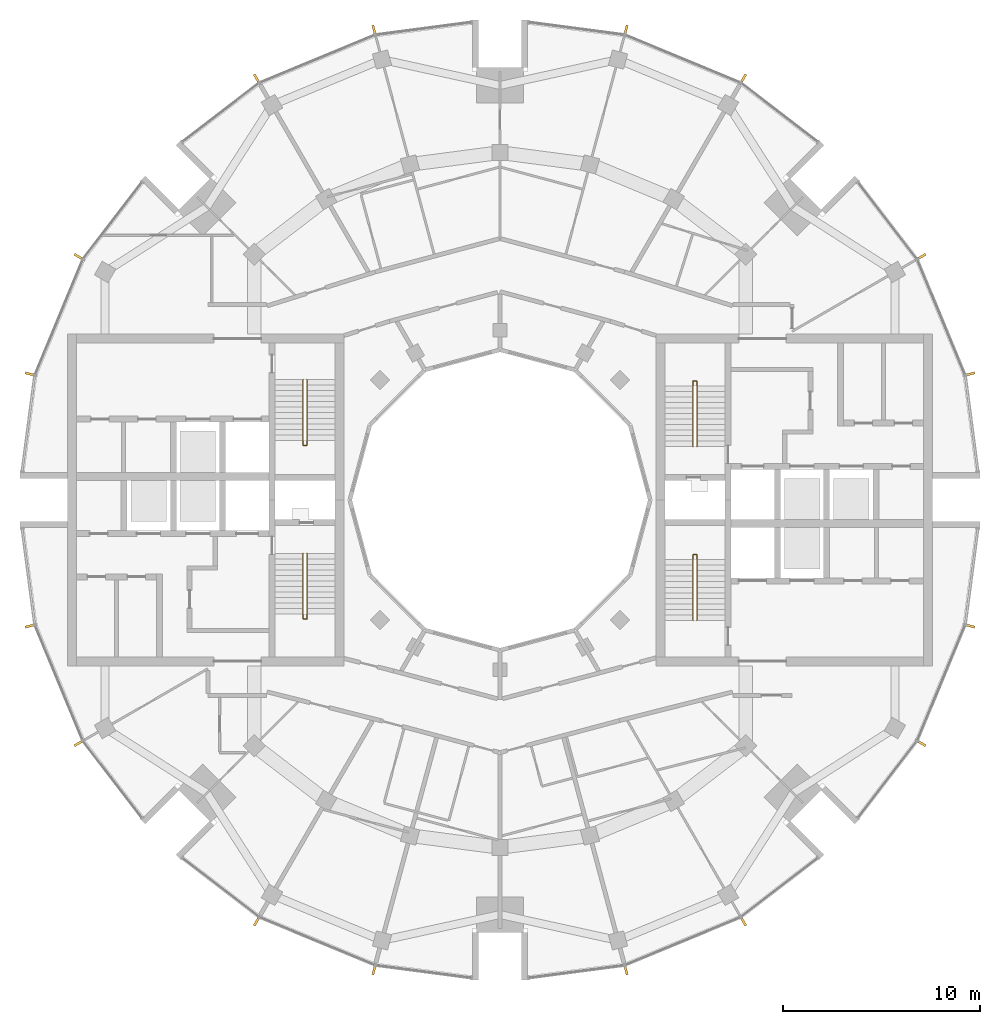
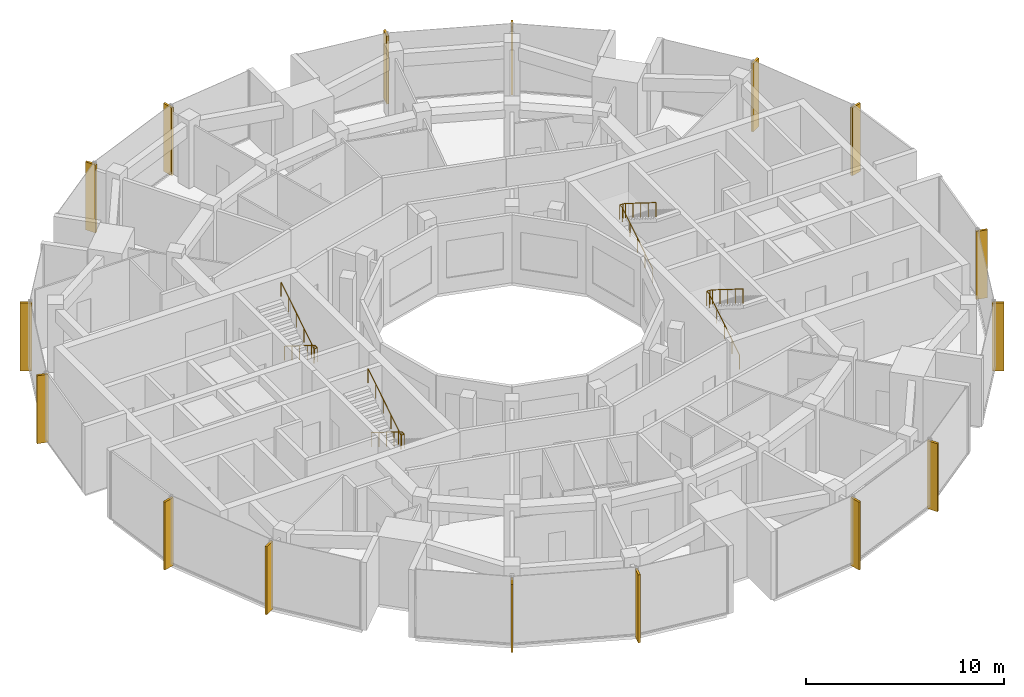
# One storey, part 14 of 15: 16 shading devices, 4 railings.
"""IFC4 building model written with IfcOpenShell, lengths in metres."""

from ifc_helpers import new_model, si_unit, direction, frame, origin, origin_2d, place, context, subcontext, project, spatial, rectangle, circle, extrude, material, material_profile, profile_set, type_object, element, save


model = new_model("IFC4")

# Units and contexts
model_context = context("Model", 3, precision=1e-05, world=origin(), true_north=direction((0.0, 1.0)))
body_context = subcontext(model_context, "Body", "Model", "MODEL_VIEW")
ifc_project = project(units=[si_unit("LENGTHUNIT", "METRE"), si_unit("AREAUNIT", "SQUARE_METRE"), si_unit("VOLUMEUNIT", "CUBIC_METRE"), si_unit("PLANEANGLEUNIT", "RADIAN"), si_unit("MASSUNIT", "GRAM", prefix="KILO")], contexts=[model_context])

# Site, building, storey
site_placement = place(None, origin())
site = spatial("IfcSite", under=ifc_project, at=site_placement, CompositionType="ELEMENT")
building_placement = place(site_placement, origin())
building = spatial("IfcBuilding", under=site, at=building_placement, Name="Torre Brocal", CompositionType="ELEMENT")
storey_placement = place(building_placement, frame((0.0, 0.0, 279.89990234375)))
storey = spatial("IfcBuildingStorey", under=building, at=storey_placement, Name="L64", CompositionType="ELEMENT", Elevation=279.89990234375)

# Shading devices
ifc_material_1 = material(Name="Aluminium, black anodised", Category="aluminium")
ifc_material_profile = material_profile(ifc_material_1, rectangle(XDim=0.1201171875, YDim=0.60009765625, at=origin_2d()), Name="FIN 120X600 4200 HIGH")
ifc_profile_set = profile_set([ifc_material_profile], Name="Aluminium, black anodised")
shading_device_type = type_object("IfcShadingDeviceType", Name="FIN 120X600 4200 HIGH", PredefinedType="USERDEFINED", material=ifc_profile_set)
for number, where, z_axis, x_axis, name in (
    (1, (103.760009765625, 81.366455078125, -0.14990234375), (0.0, 0.0, 1.0), (-0.258819045103, 0.965925826289, 0.0), "FIN"),
    (2, (101.302734375, 87.299072265625, -0.14990234375), (0.0, 0.0, 1.0), (-0.5, 0.866025403784, 0.0), "FIN"),
    (3, (92.299072265625, 96.302734375, -0.14990234375), (0.0, 0.0, 1.0), (-0.866025403784, 0.5, 0.0), "FIN"),
    (4, (86.366455078125, 98.760009765625, -0.14990234375), (0.0, 0.0, 1.0), (-0.965925826289, 0.258819045103, 0.0), "FIN"),
    (5, (73.633544921875, 98.760009765625, -0.14990234375), (0.0, 0.0, 1.0), (-0.965925826289, -0.258819045103, 0.0), "FIN"),
    (6, (67.700927734375, 96.302734375, -0.14990234375), (0.0, 0.0, 1.0), (-0.866025403784, -0.5, 0.0), "FIN"),
    (7, (58.697265625, 87.299072265625, -0.14990234375), (0.0, 0.0, 1.0), (-0.5, -0.866025403784, 0.0), "FIN"),
    (8, (56.239990234375, 81.366455078125, -0.14990234375), (0.0, 0.0, 1.0), (-0.258819045103, -0.965925826289, 0.0), "FIN"),
    (9, (56.239990234375, 68.633544921875, -0.14990234375), (0.0, 0.0, 1.0), (0.258819045103, -0.965925826289, 0.0), "FIN"),
    (10, (58.697265625, 62.700927734375, -0.14990234375), (0.0, 0.0, 1.0), (0.5, -0.866025403784, 0.0), "FIN"),
    (11, (67.700927734375, 53.697265625, -0.14990234375), (0.0, 0.0, 1.0), (0.866025403784, -0.5, 0.0), "FIN"),
    (12, (73.633544921875, 51.239990234375, -0.14990234375), (0.0, 0.0, 1.0), (0.965925826289, -0.258819045103, 0.0), "FIN"),
    (13, (86.366455078125, 51.239990234375, -0.14990234375), (0.0, 0.0, 1.0), (0.965925826289, 0.258819045103, 0.0), "FIN"),
    (14, (92.299072265625, 53.697265625, -0.14990234375), (0.0, 0.0, 1.0), (0.866025403784, 0.5, 0.0), "FIN"),
    (15, (101.302734375, 62.700927734375, -0.14990234375), (0.0, 0.0, 1.0), (0.5, 0.866025403784, 0.0), "FIN"),
    (16, (103.760009765625, 68.633544921875, -0.14990234375), (0.0, 0.0, 1.0), (0.258819045103, 0.965925826289, 0.0), "FIN"),
):
    element("IfcShadingDevice", number, at=place(storey_placement, frame(where, z_axis=z_axis, x_axis=x_axis)), inside=storey, type_object=shading_device_type, Name=name, ObjectType="FIN", PredefinedType="USERDEFINED", context=body_context, shape_type="SweptSolid", body=[
        extrude(rectangle(XDim=0.1201171875, YDim=0.60009765625, at=origin_2d()), origin(), (0.0, 0.0, 1.0), 4.199951171875),
    ])

# Railings
ifc_material_2 = material(Name="Stainless steel AISI 316", Category="steel")
railing_type = type_object("IfcRailingType", Name="STAIR HANDRAIL", PredefinedType="HANDRAIL", material=ifc_material_2)
railing_1_placement = place(storey_placement, frame((89.780029296875, 77.699951171875, 0.175048828125)))
element("IfcRailing", 17, at=railing_1_placement, inside=storey, type_object=railing_type, Name="HANDRAIL ST1", PredefinedType="HANDRAIL", context=body_context, shape_type="SweptSolid", body=[
    extrude(circle(Radius=0.02392578125, at=origin_2d()), frame((0.0, 0.0, 0.8759765625), z_axis=(0.0, 0.847998304005, 0.529998940003), x_axis=(-1.0, 0.0, 0.0)), (0.0, 0.0, 1.0), 3.632080078125),
    extrude(circle(Radius=0.02392578125, at=origin_2d()), frame((0.0, 3.080078125, 2.80078125), z_axis=(0.0, 1.0, 0.0), x_axis=(-1.0, 0.0, 0.0)), (0.0, 0.0, 1.0), 0.25),
    extrude(circle(Radius=0.02392578125, at=origin_2d()), frame((0.0, 3.330078125, 2.80078125), z_axis=(1.0, 0.0, 0.0), x_axis=(0.0, 1.0, 0.0)), (0.0, 0.0, 1.0), 0.18994140625),
    extrude(circle(Radius=0.02392578125, at=origin_2d()), frame((0.18994140625, 3.330078125, 2.80078125), z_axis=(0.0, -0.819156749665, 0.573569716318), x_axis=(1.0, 0.0, 0.0)), (0.0, 0.0, 1.0), 0.30517578125),
    extrude(circle(Radius=0.02392578125, at=origin_2d()), frame((0.18994140625, 3.080078125, 2.97607421875), z_axis=(0.0, -0.847998304005, 0.529998940003), x_axis=(1.0, 0.0, 0.0)), (0.0, 0.0, 1.0), 3.632080078125),
    extrude(circle(Radius=0.02099609375, at=origin_2d()), origin(), (0.0, 0.0, 1.0), 0.851806640625),
    extrude(circle(Radius=0.02099609375, at=origin_2d()), frame((0.0, 0.77001953125, 0.481201171875)), (0.0, 0.0, 1.0), 0.851806640625),
    extrude(circle(Radius=0.02099609375, at=origin_2d()), frame((0.0, 1.5400390625, 0.96240234375)), (0.0, 0.0, 1.0), 0.851806640625),
    extrude(circle(Radius=0.02099609375, at=origin_2d()), frame((0.0, 2.31005859375, 1.44384765625)), (0.0, 0.0, 1.0), 0.851806640625),
    extrude(circle(Radius=0.02099609375, at=origin_2d()), frame((0.0, 3.080078125, 1.925048828125)), (0.0, 0.0, 1.0), 0.851806640625),
    extrude(circle(Radius=0.02099609375, at=origin_2d()), frame((0.0, 3.330078125, 1.925048828125)), (0.0, 0.0, 1.0), 0.851806640625),
    extrude(circle(Radius=0.02099609375, at=origin_2d()), frame((0.18994140625, 3.330078125, 1.925048828125)), (0.0, 0.0, 1.0), 0.851806640625),
    extrude(circle(Radius=0.02099609375, at=origin_2d()), frame((0.18994140625, 3.080078125, 2.10009765625)), (0.0, 0.0, 1.0), 0.851806640625),
    extrude(circle(Radius=0.02099609375, at=origin_2d()), frame((0.18994140625, 2.31005859375, 2.581298828125)), (0.0, 0.0, 1.0), 0.851806640625),
    extrude(circle(Radius=0.02099609375, at=origin_2d()), frame((0.18994140625, 1.5400390625, 3.0625)), (0.0, 0.0, 1.0), 0.851806640625),
    extrude(circle(Radius=0.02099609375, at=origin_2d()), frame((0.18994140625, 0.77001953125, 3.5439453125)), (0.0, 0.0, 1.0), 0.851806640625),
    extrude(circle(Radius=0.02099609375, at=origin_2d()), frame((0.18994140625, 0.0, 4.025146484375)), (0.0, 0.0, 1.0), 0.851806640625),
])
railing_2_placement = place(storey_placement, frame((89.780029296875, 68.89990234375, 0.175048828125)))
element("IfcRailing", 18, at=railing_2_placement, inside=storey, type_object=railing_type, Name="HANDRAIL ST2", PredefinedType="HANDRAIL", context=body_context, shape_type="SweptSolid", body=[
    extrude(circle(Radius=0.02392578125, at=origin_2d()), frame((0.0, 0.0, 0.8759765625), z_axis=(0.0, 0.847998304005, 0.529998940003), x_axis=(-1.0, 0.0, 0.0)), (0.0, 0.0, 1.0), 3.632080078125),
    extrude(circle(Radius=0.02392578125, at=origin_2d()), frame((0.0, 3.080078125, 2.80078125), z_axis=(0.0, 1.0, 0.0), x_axis=(-1.0, 0.0, 0.0)), (0.0, 0.0, 1.0), 0.25),
    extrude(circle(Radius=0.02392578125, at=origin_2d()), frame((0.0, 3.330078125, 2.80078125), z_axis=(1.0, 0.0, 0.0), x_axis=(0.0, 1.0, 0.0)), (0.0, 0.0, 1.0), 0.18994140625),
    extrude(circle(Radius=0.02392578125, at=origin_2d()), frame((0.18994140625, 3.330078125, 2.80078125), z_axis=(0.0, -0.819156749665, 0.573569716318), x_axis=(1.0, 0.0, 0.0)), (0.0, 0.0, 1.0), 0.30517578125),
    extrude(circle(Radius=0.02392578125, at=origin_2d()), frame((0.18994140625, 3.080078125, 2.97607421875), z_axis=(0.0, -0.847998304005, 0.529998940003), x_axis=(1.0, 0.0, 0.0)), (0.0, 0.0, 1.0), 3.632080078125),
    extrude(circle(Radius=0.02099609375, at=origin_2d()), origin(), (0.0, 0.0, 1.0), 0.851806640625),
    extrude(circle(Radius=0.02099609375, at=origin_2d()), frame((0.0, 0.77001953125, 0.481201171875)), (0.0, 0.0, 1.0), 0.851806640625),
    extrude(circle(Radius=0.02099609375, at=origin_2d()), frame((0.0, 1.5400390625, 0.96240234375)), (0.0, 0.0, 1.0), 0.851806640625),
    extrude(circle(Radius=0.02099609375, at=origin_2d()), frame((0.0, 2.31005859375, 1.44384765625)), (0.0, 0.0, 1.0), 0.851806640625),
    extrude(circle(Radius=0.02099609375, at=origin_2d()), frame((0.0, 3.080078125, 1.925048828125)), (0.0, 0.0, 1.0), 0.851806640625),
    extrude(circle(Radius=0.02099609375, at=origin_2d()), frame((0.0, 3.330078125, 1.925048828125)), (0.0, 0.0, 1.0), 0.851806640625),
    extrude(circle(Radius=0.02099609375, at=origin_2d()), frame((0.18994140625, 3.330078125, 1.925048828125)), (0.0, 0.0, 1.0), 0.851806640625),
    extrude(circle(Radius=0.02099609375, at=origin_2d()), frame((0.18994140625, 3.080078125, 2.10009765625)), (0.0, 0.0, 1.0), 0.851806640625),
    extrude(circle(Radius=0.02099609375, at=origin_2d()), frame((0.18994140625, 2.31005859375, 2.581298828125)), (0.0, 0.0, 1.0), 0.851806640625),
    extrude(circle(Radius=0.02099609375, at=origin_2d()), frame((0.18994140625, 1.5400390625, 3.0625)), (0.0, 0.0, 1.0), 0.851806640625),
    extrude(circle(Radius=0.02099609375, at=origin_2d()), frame((0.18994140625, 0.77001953125, 3.5439453125)), (0.0, 0.0, 1.0), 0.851806640625),
    extrude(circle(Radius=0.02099609375, at=origin_2d()), frame((0.18994140625, 0.0, 4.025146484375)), (0.0, 0.0, 1.0), 0.851806640625),
])
railing_3_placement = place(storey_placement, frame((70.219970703125, 72.300048828125, 0.175048828125)))
element("IfcRailing", 19, at=railing_3_placement, inside=storey, type_object=railing_type, Name="HANDRAIL ST3", PredefinedType="HANDRAIL", context=body_context, shape_type="SweptSolid", body=[
    extrude(circle(Radius=0.02392578125, at=origin_2d()), frame((0.0, 0.0, 0.8759765625), z_axis=(0.0, -0.847998304005, 0.529998940003), x_axis=(1.0, 0.0, 0.0)), (0.0, 0.0, 1.0), 3.632080078125),
    extrude(circle(Radius=0.02392578125, at=origin_2d()), frame((0.0, -3.080078125, 2.80078125), z_axis=(0.0, -1.0, 0.0), x_axis=(1.0, 0.0, 0.0)), (0.0, 0.0, 1.0), 0.25),
    extrude(circle(Radius=0.02392578125, at=origin_2d()), frame((0.0, -3.330078125, 2.80078125), z_axis=(-1.0, 0.0, 0.0), x_axis=(0.0, -1.0, 0.0)), (0.0, 0.0, 1.0), 0.18994140625),
    extrude(circle(Radius=0.02392578125, at=origin_2d()), frame((-0.18994140625, -3.330078125, 2.80078125), z_axis=(0.0, 0.819156749665, 0.573569716318), x_axis=(-1.0, 0.0, 0.0)), (0.0, 0.0, 1.0), 0.30517578125),
    extrude(circle(Radius=0.02392578125, at=origin_2d()), frame((-0.18994140625, -3.080078125, 2.97607421875), z_axis=(0.0, 0.847998304005, 0.529998940003), x_axis=(-1.0, 0.0, 0.0)), (0.0, 0.0, 1.0), 3.632080078125),
    extrude(circle(Radius=0.02099609375, at=origin_2d()), origin(), (0.0, 0.0, 1.0), 0.851806640625),
    extrude(circle(Radius=0.02099609375, at=origin_2d()), frame((0.0, -0.77001953125, 0.481201171875)), (0.0, 0.0, 1.0), 0.851806640625),
    extrude(circle(Radius=0.02099609375, at=origin_2d()), frame((0.0, -1.5400390625, 0.96240234375)), (0.0, 0.0, 1.0), 0.851806640625),
    extrude(circle(Radius=0.02099609375, at=origin_2d()), frame((0.0, -2.31005859375, 1.44384765625)), (0.0, 0.0, 1.0), 0.851806640625),
    extrude(circle(Radius=0.02099609375, at=origin_2d()), frame((0.0, -3.080078125, 1.925048828125)), (0.0, 0.0, 1.0), 0.851806640625),
    extrude(circle(Radius=0.02099609375, at=origin_2d()), frame((0.0, -3.330078125, 1.925048828125)), (0.0, 0.0, 1.0), 0.851806640625),
    extrude(circle(Radius=0.02099609375, at=origin_2d()), frame((-0.18994140625, -3.330078125, 1.925048828125)), (0.0, 0.0, 1.0), 0.851806640625),
    extrude(circle(Radius=0.02099609375, at=origin_2d()), frame((-0.18994140625, -3.080078125, 2.10009765625)), (0.0, 0.0, 1.0), 0.851806640625),
    extrude(circle(Radius=0.02099609375, at=origin_2d()), frame((-0.18994140625, -2.31005859375, 2.581298828125)), (0.0, 0.0, 1.0), 0.851806640625),
    extrude(circle(Radius=0.02099609375, at=origin_2d()), frame((-0.18994140625, -1.5400390625, 3.0625)), (0.0, 0.0, 1.0), 0.851806640625),
    extrude(circle(Radius=0.02099609375, at=origin_2d()), frame((-0.18994140625, -0.77001953125, 3.5439453125)), (0.0, 0.0, 1.0), 0.851806640625),
    extrude(circle(Radius=0.02099609375, at=origin_2d()), frame((-0.18994140625, 0.0, 4.025146484375)), (0.0, 0.0, 1.0), 0.851806640625),
])
railing_4_placement = place(storey_placement, frame((70.219970703125, 81.10009765625, 0.175048828125)))
element("IfcRailing", 20, at=railing_4_placement, inside=storey, type_object=railing_type, Name="HANDRAIL ST4", PredefinedType="HANDRAIL", context=body_context, shape_type="SweptSolid", body=[
    extrude(circle(Radius=0.02392578125, at=origin_2d()), frame((0.0, 0.0, 0.8759765625), z_axis=(0.0, -0.847998304005, 0.529998940003), x_axis=(1.0, 0.0, 0.0)), (0.0, 0.0, 1.0), 3.632080078125),
    extrude(circle(Radius=0.02392578125, at=origin_2d()), frame((0.0, -3.080078125, 2.80078125), z_axis=(0.0, -1.0, 0.0), x_axis=(1.0, 0.0, 0.0)), (0.0, 0.0, 1.0), 0.25),
    extrude(circle(Radius=0.02392578125, at=origin_2d()), frame((0.0, -3.330078125, 2.80078125), z_axis=(-1.0, 0.0, 0.0), x_axis=(0.0, -1.0, 0.0)), (0.0, 0.0, 1.0), 0.18994140625),
    extrude(circle(Radius=0.02392578125, at=origin_2d()), frame((-0.18994140625, -3.330078125, 2.80078125), z_axis=(0.0, 0.819156749665, 0.573569716318), x_axis=(-1.0, 0.0, 0.0)), (0.0, 0.0, 1.0), 0.30517578125),
    extrude(circle(Radius=0.02392578125, at=origin_2d()), frame((-0.18994140625, -3.080078125, 2.97607421875), z_axis=(0.0, 0.847998304005, 0.529998940003), x_axis=(-1.0, 0.0, 0.0)), (0.0, 0.0, 1.0), 3.632080078125),
    extrude(circle(Radius=0.02099609375, at=origin_2d()), origin(), (0.0, 0.0, 1.0), 0.851806640625),
    extrude(circle(Radius=0.02099609375, at=origin_2d()), frame((0.0, -0.77001953125, 0.481201171875)), (0.0, 0.0, 1.0), 0.851806640625),
    extrude(circle(Radius=0.02099609375, at=origin_2d()), frame((0.0, -1.5400390625, 0.96240234375)), (0.0, 0.0, 1.0), 0.851806640625),
    extrude(circle(Radius=0.02099609375, at=origin_2d()), frame((0.0, -2.31005859375, 1.44384765625)), (0.0, 0.0, 1.0), 0.851806640625),
    extrude(circle(Radius=0.02099609375, at=origin_2d()), frame((0.0, -3.080078125, 1.925048828125)), (0.0, 0.0, 1.0), 0.851806640625),
    extrude(circle(Radius=0.02099609375, at=origin_2d()), frame((0.0, -3.330078125, 1.925048828125)), (0.0, 0.0, 1.0), 0.851806640625),
    extrude(circle(Radius=0.02099609375, at=origin_2d()), frame((-0.18994140625, -3.330078125, 1.925048828125)), (0.0, 0.0, 1.0), 0.851806640625),
    extrude(circle(Radius=0.02099609375, at=origin_2d()), frame((-0.18994140625, -3.080078125, 2.10009765625)), (0.0, 0.0, 1.0), 0.851806640625),
    extrude(circle(Radius=0.02099609375, at=origin_2d()), frame((-0.18994140625, -2.31005859375, 2.581298828125)), (0.0, 0.0, 1.0), 0.851806640625),
    extrude(circle(Radius=0.02099609375, at=origin_2d()), frame((-0.18994140625, -1.5400390625, 3.0625)), (0.0, 0.0, 1.0), 0.851806640625),
    extrude(circle(Radius=0.02099609375, at=origin_2d()), frame((-0.18994140625, -0.77001953125, 3.5439453125)), (0.0, 0.0, 1.0), 0.851806640625),
    extrude(circle(Radius=0.02099609375, at=origin_2d()), frame((-0.18994140625, 0.0, 4.025146484375)), (0.0, 0.0, 1.0), 0.851806640625),
])

save(model, "model.ifc")
